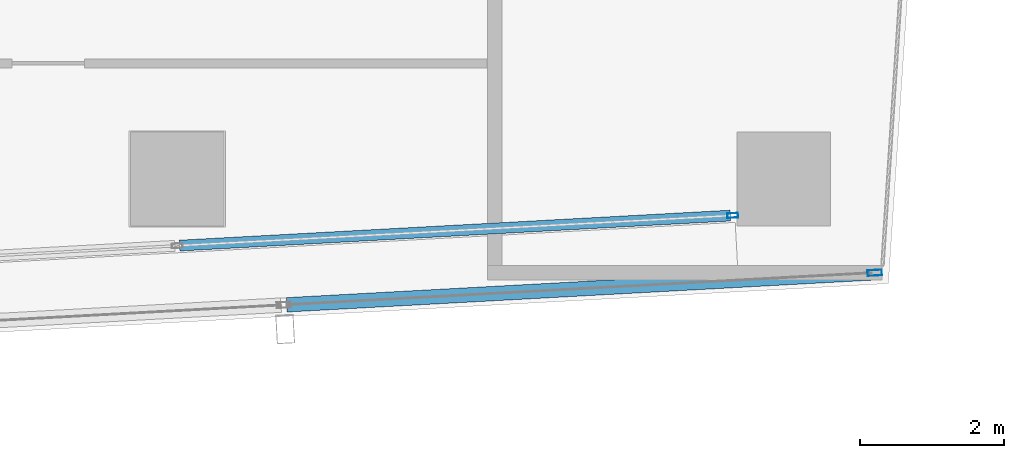
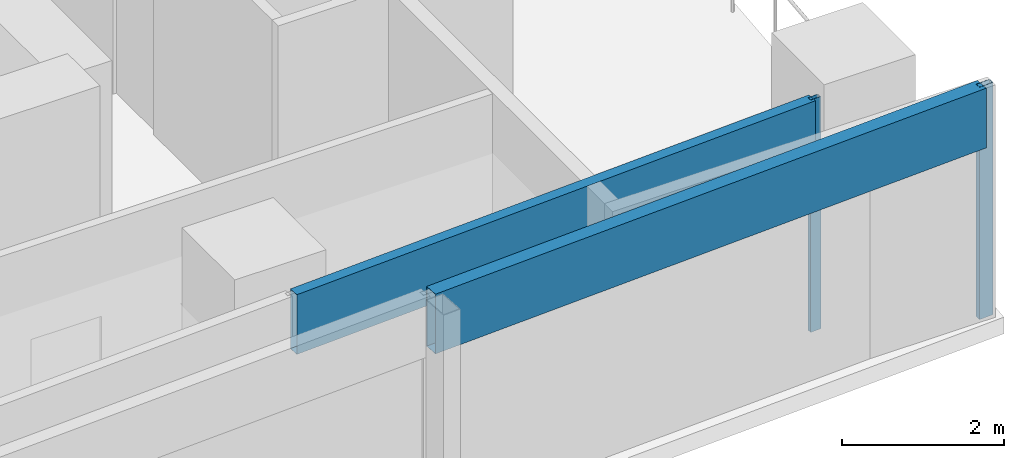
# One storey, part 11 of 28: 4 members, 2 elements without a shape of their own.
"""IFC4 building model written with IfcOpenShell, lengths in metres."""

import ifcopenshell
import ifcopenshell.guid

model = None  # the IFC model being written
_history = None  # IfcOwnerHistory: only IFC2X3 demands one
_inside = {}  # id of a spatial element -> (the spatial element, [elements in it])
_under = {}  # id of a project, library or spatial element -> (it, [spatial elements below it])
_declared = {}  # id of a project -> (the project, [libraries it declares])
_typed = {}  # id of a type object -> (the type object, [elements of that type])
_made_of = {}  # id of a material, layer set ... -> (it, [elements and type objects made of it])


def new_model(schema):
    """Start an empty IFC model of exactly this schema.

    Asked for "IFC4X3", IfcOpenShell would pick the latest addendum, in which some entities
    have other attributes; the version numbers below select the first issue.
    IFC2X3 requires an IfcOwnerHistory on every rooted entity: one is made here for all.
    """
    global model, _history
    if schema == "IFC4X3":
        model = ifcopenshell.file(schema_version=(4, 3, 0, 0))
    else:
        model = ifcopenshell.file(schema=schema)
    _inside.clear()
    _under.clear()
    _declared.clear()
    _typed.clear()
    _made_of.clear()
    _history = None
    if model.schema == "IFC2X3":
        org = make("IfcOrganization", Name="unknown")
        user = make(
            "IfcPersonAndOrganization",
            ThePerson=make("IfcPerson", FamilyName="unknown"),
            TheOrganization=org,
        )
        app = make(
            "IfcApplication",
            ApplicationDeveloper=org,
            Version="unknown",
            ApplicationFullName="unknown",
            ApplicationIdentifier="unknown",
        )
        _history = make(
            "IfcOwnerHistory",
            OwningUser=user,
            OwningApplication=app,
            ChangeAction="ADDED",
            CreationDate=0,
        )
    return model


def make(cls, **values):
    """One entity of the class cls with the attributes given. An attribute that is None is left unset."""
    return model.create_entity(
        cls, **{name: value for name, value in values.items() if value is not None}
    )


def rooted(cls, **values):
    """An entity with a GlobalId (a new one), such as an element, a storey or a relation."""
    return make(cls, GlobalId=ifcopenshell.guid.new(), OwnerHistory=_history, **values)


def si_unit(unit_type, name, prefix=None):
    """IfcSIUnit, for example si_unit("LENGTHUNIT", "METRE", prefix="MILLI")."""
    return make("IfcSIUnit", UnitType=unit_type, Prefix=prefix, Name=name)


def assignment(units):
    """IfcUnitAssignment: the units of a project."""
    return None if units is None else make("IfcUnitAssignment", Units=units)


def point(xyz):
    """IfcCartesianPoint."""
    return None if xyz is None else make("IfcCartesianPoint", Coordinates=xyz)


def direction(xyz):
    """IfcDirection."""
    return None if xyz is None else make("IfcDirection", DirectionRatios=xyz)


def frame(location, z_axis=None, x_axis=None):
    """IfcAxis2Placement3D, a coordinate frame: its origin and axes. An axis left out is left unset."""
    return make(
        "IfcAxis2Placement3D",
        Location=point(location),
        Axis=direction(z_axis),
        RefDirection=direction(x_axis),
    )


def frame_2d(location, x_axis=None):
    """IfcAxis2Placement2D, a coordinate frame in the plane: its origin and x axis."""
    return make(
        "IfcAxis2Placement2D", Location=point(location), RefDirection=direction(x_axis)
    )


def origin():
    """The frame at (0, 0, 0) with its axes left unset."""
    return frame((0.0, 0.0, 0.0))


def origin_2d():
    """The frame at (0, 0) in the plane with its x axis left unset."""
    return frame_2d((0.0, 0.0))


def place(relative_to, where):
    """IfcLocalPlacement: puts the frame where relative to a parent placement (None: the world)."""
    return make(
        "IfcLocalPlacement", PlacementRelTo=relative_to, RelativePlacement=where
    )


def context(
    kind, dimensions, precision=None, world=None, true_north=None, identifier=None
):
    """IfcGeometricRepresentationContext, for example the 3D "Model" context."""
    return make(
        "IfcGeometricRepresentationContext",
        ContextIdentifier=identifier,
        ContextType=kind,
        CoordinateSpaceDimension=dimensions,
        Precision=precision,
        WorldCoordinateSystem=world,
        TrueNorth=true_north,
    )


def subcontext(parent, identifier, kind, view, scale=None):
    """IfcGeometricRepresentationSubContext, for example "Body" below "Model"."""
    return make(
        "IfcGeometricRepresentationSubContext",
        ContextIdentifier=identifier,
        ContextType=kind,
        ParentContext=parent,
        TargetScale=scale,
        TargetView=view,
    )


def project(units=None, contexts=None):
    """IfcProject with its units and contexts."""
    return rooted(
        "IfcProject",
        Name="project",
        RepresentationContexts=contexts,
        UnitsInContext=assignment(units),
    )


def spatial(cls, under=None, at=None, **own):
    """A site, building, storey or space (cls), placed at a placement, below another one or the project."""
    s = rooted(cls, ObjectPlacement=at, **own)
    if under is not None:
        _under.setdefault(under.id(), (under, []))[1].append(s)
    return s


def profile(cls, at=None, kind="AREA", **sizes):
    """A parametric profile (cls). Its sizes go by their IFC names, for example OverallWidth=200.0."""
    return make(cls, ProfileType=kind, Position=at, **sizes)


def hollow_rectangle(**sizes):
    """IfcRectangleHollowProfileDef."""
    return profile("IfcRectangleHollowProfileDef", **sizes)


def extrude(swept, where, along, depth):
    """IfcExtrudedAreaSolid: the profile swept, set in the frame where, extruded along a direction by depth."""
    return make(
        "IfcExtrudedAreaSolid",
        SweptArea=swept,
        Position=where,
        ExtrudedDirection=direction(along),
        Depth=depth,
    )


def shape(context_of_items, identifier, shape_type, items):
    """IfcShapeRepresentation: the items that make up one representation, for example the "Body"."""
    return make(
        "IfcShapeRepresentation",
        ContextOfItems=context_of_items,
        RepresentationIdentifier=identifier,
        RepresentationType=shape_type,
        Items=items,
    )


def material(Name=None, Category=None):
    """IfcMaterial."""
    return make("IfcMaterial", Name=Name, Category=Category)


def material_profile(
    of_material, cross_section, Name=None, Category=None, Priority=None
):
    """IfcMaterialProfile: a cross section and its material."""
    return make(
        "IfcMaterialProfile",
        Name=Name,
        Material=of_material,
        Profile=cross_section,
        Priority=Priority,
        Category=Category,
    )


def profile_set(profiles, Name=None, composite=None):
    """IfcMaterialProfileSet."""
    return make(
        "IfcMaterialProfileSet",
        Name=Name,
        MaterialProfiles=profiles,
        CompositeProfile=composite,
    )


def made_of(thing, what):
    """Note that an element or type object is made of a material, layer set ...; save() writes the relation."""
    if what is not None:
        _made_of.setdefault(what.id(), (what, []))[1].append(thing)
    return thing


def type_object(cls, material=None, **own):
    """A type object (cls), such as IfcWallType, which elements share."""
    return made_of(rooted(cls, **own), material)


def element(
    cls,
    number,
    at=None,
    inside=None,
    cuts=None,
    type_object=None,
    material=None,
    context=None,
    identifier="Body",
    shape_type=None,
    held_by="IfcProductDefinitionShape",
    body=None,
    shapes=None,
    **own,
):
    """One element of the class cls, such as IfcWall. Its Tag is "e" and its number.

    at: its placement. inside: the storey or other place that contains it. cuts: it is an
    opening in that element (IfcRelVoidsElement). A single representation is given by context,
    identifier, shape_type and body (its items); several are given by shapes. held_by: the class
    of the entity that holds the representations. save() writes the other relations.
    """
    e = rooted(cls, Tag="e%d" % number, ObjectPlacement=at, **own)
    if body is not None:
        shapes = [shape(context, identifier, shape_type, body)]
    if shapes is not None:
        e.Representation = make(held_by, Representations=shapes)
    if inside is not None:
        _inside.setdefault(inside.id(), (inside, []))[1].append(e)
    if cuts is not None:
        rooted(
            "IfcRelVoidsElement", RelatingBuildingElement=cuts, RelatedOpeningElement=e
        )
    if type_object is not None:
        _typed.setdefault(type_object.id(), (type_object, []))[1].append(e)
    return made_of(e, material)


def aggregate(whole, parts):
    """IfcRelAggregates: a whole, such as a stair, and the parts it consists of."""
    return rooted("IfcRelAggregates", RelatingObject=whole, RelatedObjects=parts)


def save(model, path):
    """Write the relations noted so far, then the file.

    IfcRelAggregates (storeys below a building ...), IfcRelContainedInSpatialStructure (elements
    in a storey), IfcRelDefinesByType, IfcRelAssociatesMaterial and IfcRelDeclares: one each for
    every whole, place, type object, material and project.
    """
    for whole, parts in _under.values():
        aggregate(whole, parts)
    for where, things in _inside.values():
        rooted(
            "IfcRelContainedInSpatialStructure",
            RelatedElements=things,
            RelatingStructure=where,
        )
    for kind, things in _typed.values():
        rooted("IfcRelDefinesByType", RelatedObjects=things, RelatingType=kind)
    for what, things in _made_of.values():
        rooted("IfcRelAssociatesMaterial", RelatedObjects=things, RelatingMaterial=what)
    for by, libraries in _declared.values():
        rooted("IfcRelDeclares", RelatingContext=by, RelatedDefinitions=libraries)
    model.write(path)


model = new_model("IFC4")

# Units and contexts
model_context = context("Model", 3, precision=1e-05, world=origin(), true_north=direction((0.0, 1.0)))
body_context = subcontext(model_context, "Body", "Model", "MODEL_VIEW")
ifc_project = project(units=[si_unit("LENGTHUNIT", "METRE"), si_unit("AREAUNIT", "SQUARE_METRE"), si_unit("VOLUMEUNIT", "CUBIC_METRE"), si_unit("PLANEANGLEUNIT", "RADIAN"), si_unit("MASSUNIT", "GRAM", prefix="KILO")], contexts=[model_context])

# Site, building, storey
site_placement = place(None, origin())
site = spatial("IfcSite", under=ifc_project, at=site_placement, CompositionType="ELEMENT")
building_placement = place(site_placement, origin())
building = spatial("IfcBuilding", under=site, at=building_placement, Name="Rekha Terrace Tower", CompositionType="ELEMENT")
storey_placement = place(building_placement, frame((0.0, 0.0, 253.85009765625)))
storey = spatial("IfcBuildingStorey", under=building, at=storey_placement, Name="L64", CompositionType="ELEMENT", Elevation=253.85009765625)

# Curtain wall, members
ifc_material_1 = material(Name="Aluminium framing", Category="aluminium")
curtain_wall_type_1 = type_object("IfcCurtainWallType", Name="CW1 double skin inner glazing", PredefinedType="USERDEFINED", material=ifc_material_1)
curtain_wall_1_placement = place(storey_placement, origin())
curtain_wall_1 = element("IfcCurtainWall", 1, at=curtain_wall_1_placement, inside=storey, type_object=curtain_wall_type_1, Name="CW1 double skin inner glazing", ObjectType="DOUBLE SKIN INNER GLAZING", PredefinedType="USERDEFINED")
ifc_material_2 = material(Name="Aluminium mullion section", Category="aluminium")
ifc_material_profile_1 = material_profile(ifc_material_2, hollow_rectangle(XDim=0.06494140625, YDim=0.14990234375, WallThickness=0.00390625, at=origin_2d()), Name="AL RHS 65x150")
ifc_profile_set_1 = profile_set([ifc_material_profile_1], Name="Aluminium mullion section")
member_type_1 = type_object("IfcMemberType", Name="CW1 mullion RHS 65 x 150", PredefinedType="MULLION", material=ifc_profile_set_1)
member_1_placement = place(storey_placement, frame((58.092529296875, 16.2939453125, 0.0), z_axis=(0.0, 0.0, 1.0), x_axis=(-0.054388903036, 0.998519828159, 0.0)))
member_1 = element("IfcMember", 2, at=member_1_placement, type_object=member_type_1, Name="CW1 mullion 5", PredefinedType="MULLION", context=body_context, shape_type="SweptSolid", body=[
    extrude(hollow_rectangle(XDim=0.06494140625, YDim=0.14990234375, WallThickness=0.00390625, at=origin_2d()), origin(), (0.0, 0.0, 1.0), 3.5),
])
ifc_material_3 = material(Name="Insulated aluminium spandrel box", Category="aluminium")
ifc_material_profile_2 = material_profile(ifc_material_3, hollow_rectangle(XDim=0.14990234375, YDim=0.89990234375, WallThickness=0.0029296875, at=origin_2d()), Name="AL SPANDREL BOX 150x900")
ifc_profile_set_2 = profile_set([ifc_material_profile_2], Name="Insulated aluminium spandrel box")
member_type_2 = type_object("IfcMemberType", Name="CW1 spandrel transom 150 x 900", PredefinedType="USERDEFINED", material=ifc_profile_set_2)
member_2_placement = place(storey_placement, frame((50.431640625, 15.876708984375, 3.0498046875), z_axis=(0.998519749799, 0.054390341617, 0.0), x_axis=(-0.054390341617, 0.998519749799, 0.0)))
member_2 = element("IfcMember", 3, at=member_2_placement, type_object=member_type_2, Name="CW1 spandrel transom 4", ObjectType="TRANSOM", PredefinedType="USERDEFINED", context=body_context, shape_type="SweptSolid", body=[
    extrude(hollow_rectangle(XDim=0.14990234375, YDim=0.89990234375, WallThickness=0.0029296875, at=origin_2d()), origin(), (0.0, 0.0, 1.0), 7.6396484375),
])
aggregate(curtain_wall_1, [member_1, member_2])

curtain_wall_type_2 = type_object("IfcCurtainWallType", Name="CW2 double skin outer glazing", PredefinedType="USERDEFINED", material=ifc_material_1)
curtain_wall_2_placement = place(storey_placement, origin())
curtain_wall_2 = element("IfcCurtainWall", 4, at=curtain_wall_2_placement, inside=storey, type_object=curtain_wall_type_2, Name="CW2 double skin outer glazing", ObjectType="DOUBLE SKIN OUTER GLAZING", PredefinedType="USERDEFINED")
ifc_material_profile_3 = material_profile(ifc_material_2, hollow_rectangle(XDim=0.080078125, YDim=0.199951171875, WallThickness=0.00390625, at=origin_2d()), Name="AL RHS 80x200")
ifc_profile_set_3 = profile_set([ifc_material_profile_3], Name="Aluminium mullion section")
member_type_3 = type_object("IfcMemberType", Name="CW2 mullion RHS 80 x 200", PredefinedType="MULLION", material=ifc_profile_set_3)
member_3_placement = place(storey_placement, frame((60.059814453125, 15.499755859375, 0.0), z_axis=(0.0, 0.0, 1.0), x_axis=(-0.054388903071, 0.998519828157, 0.0)))
member_3 = element("IfcMember", 5, at=member_3_placement, type_object=member_type_3, Name="CW2 mullion 5", PredefinedType="MULLION", context=body_context, shape_type="SweptSolid", body=[
    extrude(hollow_rectangle(XDim=0.080078125, YDim=0.199951171875, WallThickness=0.00390625, at=origin_2d()), origin(), (0.0, 0.0, 1.0), 3.5),
])
ifc_material_profile_4 = material_profile(ifc_material_3, hollow_rectangle(XDim=0.199951171875, YDim=0.89990234375, WallThickness=0.0029296875, at=origin_2d()), Name="AL SPANDREL BOX 200x900")
ifc_profile_set_4 = profile_set([ifc_material_profile_4], Name="Insulated aluminium spandrel box")
member_type_4 = type_object("IfcMemberType", Name="CW2 spandrel transom 200 x 900", PredefinedType="USERDEFINED", material=ifc_profile_set_4)
member_4_placement = place(storey_placement, frame((51.91650390625, 15.056396484375, 3.0498046875), z_axis=(0.998519661636, 0.054391960117, 0.0), x_axis=(-0.054391960117, 0.998519661636, 0.0)))
member_4 = element("IfcMember", 6, at=member_4_placement, type_object=member_type_4, Name="CW2 spandrel transom 4", ObjectType="TRANSOM", PredefinedType="USERDEFINED", context=body_context, shape_type="SweptSolid", body=[
    extrude(hollow_rectangle(XDim=0.199951171875, YDim=0.89990234375, WallThickness=0.0029296875, at=origin_2d()), origin(), (0.0, 0.0, 1.0), 8.115234375),
])
aggregate(curtain_wall_2, [member_3, member_4])

save(model, "model.ifc")
